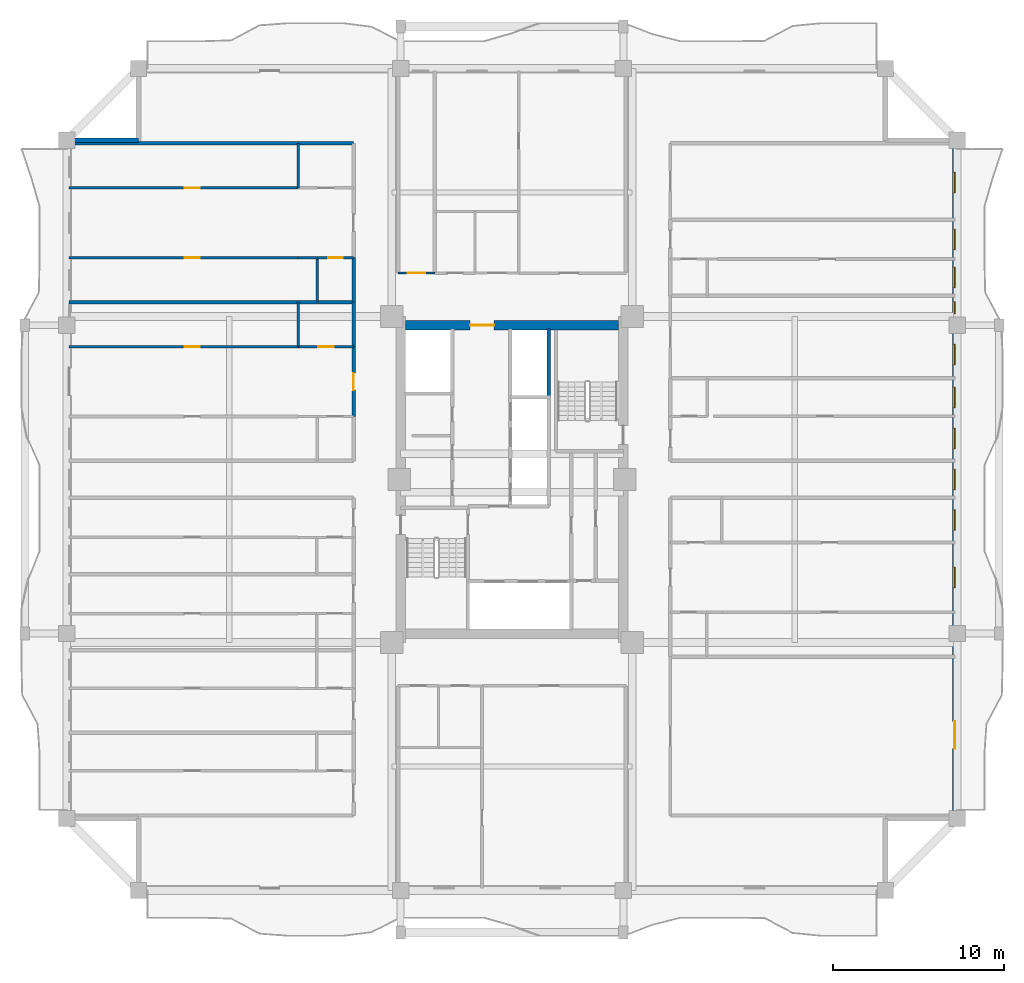
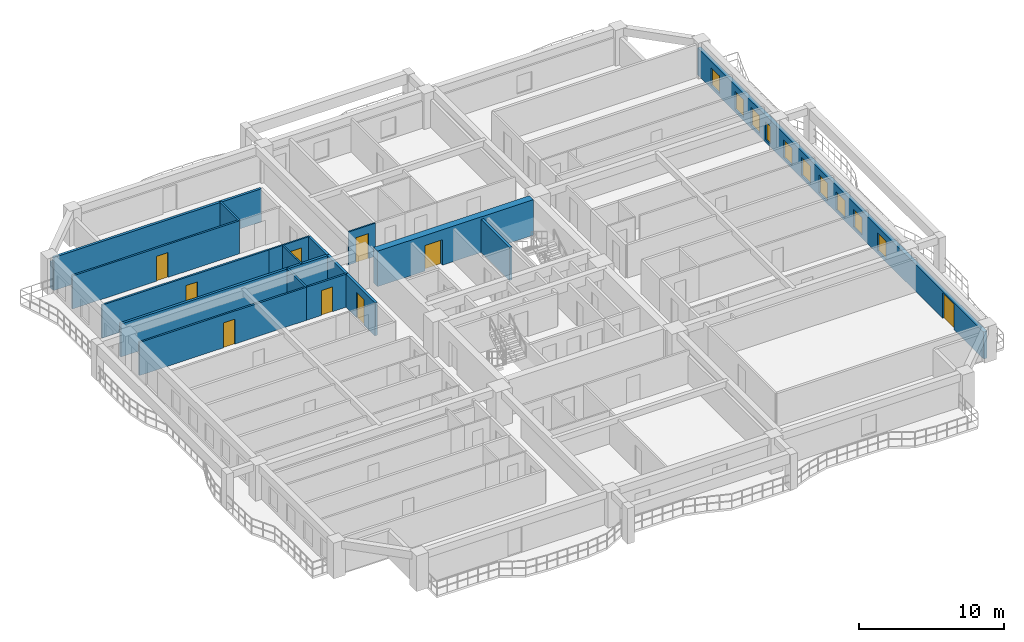
# One storey, part 6 of 13: 19 walls, 10 windows, 9 doors, 19 openings.
"""IFC4 building model written with IfcOpenShell, lengths in metres."""

from ifc_helpers import new_model, si_unit, direction, frame, frame_2d, origin, place, context, subcontext, project, spatial, rectangle, extrude, source, transform, mapped, material, layer, layer_set, type_object, element, fill, save


model = new_model("IFC4")

# Units and contexts
model_context = context("Model", 3, precision=1e-05, world=origin(), true_north=direction((0.0, 1.0)))
body_context = subcontext(model_context, "Body", "Model", "MODEL_VIEW")
ifc_project = project(units=[si_unit("LENGTHUNIT", "METRE"), si_unit("AREAUNIT", "SQUARE_METRE"), si_unit("VOLUMEUNIT", "CUBIC_METRE"), si_unit("PLANEANGLEUNIT", "RADIAN"), si_unit("MASSUNIT", "GRAM", prefix="KILO")], contexts=[model_context])

# Site, building, storey
site_placement = place(None, origin())
site = spatial("IfcSite", under=ifc_project, at=site_placement, CompositionType="ELEMENT")
building_placement = place(site_placement, origin())
building = spatial("IfcBuilding", under=site, at=building_placement, Name="Saelheon Loggia Tower", CompositionType="ELEMENT")
storey_placement = place(building_placement, frame((0.0, 0.0, 129.75)))
storey = spatial("IfcBuildingStorey", under=building, at=storey_placement, Name="L41", CompositionType="ELEMENT", Elevation=129.75)

# Wall, opening, door
ifc_material_1 = material(Name="Concrete C50/60", Category="concrete")
ifc_layer_1 = layer(ifc_material_1, 0.550048828125)
ifc_layer_set_1 = layer_set([ifc_layer_1], Name="Concrete C50/60")
wall_type_1 = type_object("IfcWallType", Name="Wall_CoreShear_550", PredefinedType="SHEAR", material=ifc_layer_set_1)
wall_1_placement = place(storey_placement, frame((31.77490234375, 36.0, 0.0), z_axis=(0.0, 0.0, 1.0), x_axis=(1.0, 0.0, 0.0)))
wall_1 = element("IfcWall", 1, at=wall_1_placement, inside=storey, type_object=wall_type_1, Name="L41 Core Shear Wall North", PredefinedType="SHEAR", context=body_context, shape_type="SweptSolid", body=[
    extrude(rectangle(XDim=12.4501953125, YDim=0.550048828125, at=frame_2d((6.22509765625, 0.0))), origin(), (0.0, 0.0, 1.0), 3.0),
])
opening_1_placement = place(wall_1_placement, frame((5.1748046875, 0.0, 0.0), z_axis=(0.0, 0.0, 1.0), x_axis=(-1.0, 0.0, 0.0)))
opening_1 = element("IfcOpeningElement", 2, at=opening_1_placement, cuts=wall_1, Name="Opening D-FD2L", PredefinedType="OPENING", context=body_context, shape_type="SweptSolid", body=[
    extrude(rectangle(XDim=1.39990234375, YDim=2.14990234375, at=frame_2d((0.699951171875, 1.074951171875))), frame((0.0, 0.287109375, 0.0), z_axis=(0.0, -1.0, 0.0), x_axis=(1.0, 0.0, 0.0)), (0.0, 0.0, 1.0), 0.573974609375),
])
ifc_material_2 = material(Name="Galvanised Steel Glazed Lobby Fire Door", Category="steel")
door_type_1 = type_object("IfcDoorType", Name="Door_Fire_FD60_1400", OperationType="NOTDEFINED", PredefinedType="DOOR", material=ifc_material_2)
shared_shape_1 = source(origin(), body_context, "Body", "SweptSolid", [
    extrude(rectangle(XDim=1.39990234375, YDim=2.14990234375, at=frame_2d((0.699951171875, 1.074951171875))), frame((0.0, 0.02490234375, 0.0), z_axis=(0.0, -1.0, 0.0), x_axis=(1.0, 0.0, 0.0)), (0.0, 0.0, 1.0), 0.050048828125),
])
door_1_placement = place(opening_1_placement, origin())
door_1 = element("IfcDoor", 3, at=door_1_placement, inside=storey, type_object=door_type_1, Name="L41 Passenger Lift Lobby Main Door", OperationType="SINGLE_SWING_RIGHT", OverallHeight=2.14990234375, OverallWidth=1.39990234375, PredefinedType="DOOR", context=body_context, shape_type="MappedRepresentation", body=[
    mapped(shared_shape_1, transform((0.0, 0.0, 0.0), scale=1.0)),
])
fill(opening_1, door_1)

# Wall, openings, windows, door
ifc_material_3 = material(Name="Architectural Precast Concrete C40/50", Category="concrete")
ifc_layer_2 = layer(ifc_material_3, 0.280029296875)
ifc_layer_set_2 = layer_set([ifc_layer_2], Name="Architectural Precast Concrete C40/50")
wall_type_2 = type_object("IfcWallType", Name="Wall_Ext_Loggia_280", PredefinedType="SOLIDWALL", material=ifc_layer_set_2)
wall_2_placement = place(storey_placement, frame((63.860107421875, 7.199951171875, 0.0), z_axis=(0.0, 0.0, 1.0), x_axis=(0.0, 1.0, 0.0)))
wall_2 = element("IfcWall", 4, at=wall_2_placement, inside=storey, type_object=wall_type_2, Name="L41 East Loggia Inner Wall", PredefinedType="SOLIDWALL", context=body_context, shape_type="SweptSolid", body=[
    extrude(rectangle(XDim=39.60009765625, YDim=0.280029296875, at=frame_2d((19.800048828125, 0.0))), origin(), (0.0, 0.0, 1.0), 2.280029296875),
])
opening_2_placement = place(wall_2_placement, frame((5.6826171875, 0.0, 0.0), z_axis=(0.0, 0.0, 1.0), x_axis=(-1.0, 0.0, 0.0)))
opening_2 = element("IfcOpeningElement", 5, at=opening_2_placement, cuts=wall_2, Name="Opening DLG-1", PredefinedType="OPENING", context=body_context, shape_type="SweptSolid", body=[
    extrude(rectangle(XDim=1.60009765625, YDim=2.14990234375, at=frame_2d((0.800048828125, 1.074951171875))), frame((0.0, 0.152099609375, 0.0), z_axis=(0.0, -1.0, 0.0), x_axis=(1.0, 0.0, 0.0)), (0.0, 0.0, 1.0), 0.303955078125),
])
opening_3_placement = place(wall_2_placement, frame((13.48291015625, 0.0, 0.25)))
opening_3 = element("IfcOpeningElement", 6, at=opening_3_placement, cuts=wall_2, Name="Opening WN-03", PredefinedType="OPENING", context=body_context, shape_type="SweptSolid", body=[
    extrude(rectangle(XDim=1.199951171875, YDim=1.5, at=frame_2d((0.60009765625, 0.75))), frame((0.0, 0.152099609375, 0.0), z_axis=(0.0, -1.0, 0.0), x_axis=(1.0, 0.0, 0.0)), (0.0, 0.0, 1.0), 0.303955078125),
])
opening_4_placement = place(wall_2_placement, frame((16.820068359375, 0.0, 0.25)))
opening_4 = element("IfcOpeningElement", 7, at=opening_4_placement, cuts=wall_2, Name="Opening WN-03", PredefinedType="OPENING", context=body_context, shape_type="SweptSolid", body=[
    extrude(rectangle(XDim=1.199951171875, YDim=1.5, at=frame_2d((0.60009765625, 0.75))), frame((0.0, 0.152099609375, 0.0), z_axis=(0.0, -1.0, 0.0), x_axis=(1.0, 0.0, 0.0)), (0.0, 0.0, 1.0), 0.303955078125),
])
opening_5_placement = place(wall_2_placement, frame((19.199951171875, 0.0, 0.25)))
opening_5 = element("IfcOpeningElement", 8, at=opening_5_placement, cuts=wall_2, Name="Opening WN-03", PredefinedType="OPENING", context=body_context, shape_type="SweptSolid", body=[
    extrude(rectangle(XDim=1.199951171875, YDim=1.5, at=frame_2d((0.60009765625, 0.75))), frame((0.0, 0.152099609375, 0.0), z_axis=(0.0, -1.0, 0.0), x_axis=(1.0, 0.0, 0.0)), (0.0, 0.0, 1.0), 0.303955078125),
])
opening_6_placement = place(wall_2_placement, frame((21.58154296875, 0.0, 0.25)))
opening_6 = element("IfcOpeningElement", 9, at=opening_6_placement, cuts=wall_2, Name="Opening WN-03", PredefinedType="OPENING", context=body_context, shape_type="SweptSolid", body=[
    extrude(rectangle(XDim=1.199951171875, YDim=1.5, at=frame_2d((0.60009765625, 0.75))), frame((0.0, 0.152099609375, 0.0), z_axis=(0.0, -1.0, 0.0), x_axis=(1.0, 0.0, 0.0)), (0.0, 0.0, 1.0), 0.303955078125),
])
opening_7_placement = place(wall_2_placement, frame((23.99169921875, 0.0, 0.25)))
opening_7 = element("IfcOpeningElement", 10, at=opening_7_placement, cuts=wall_2, Name="Opening WN-03", PredefinedType="OPENING", context=body_context, shape_type="SweptSolid", body=[
    extrude(rectangle(XDim=1.199951171875, YDim=1.5, at=frame_2d((0.60009765625, 0.75))), frame((0.0, 0.152099609375, 0.0), z_axis=(0.0, -1.0, 0.0), x_axis=(1.0, 0.0, 0.0)), (0.0, 0.0, 1.0), 0.303955078125),
])
opening_8_placement = place(wall_2_placement, frame((26.49267578125, 0.0, 0.25)))
opening_8 = element("IfcOpeningElement", 11, at=opening_8_placement, cuts=wall_2, Name="Opening WN-03", PredefinedType="OPENING", context=body_context, shape_type="SweptSolid", body=[
    extrude(rectangle(XDim=1.199951171875, YDim=1.5, at=frame_2d((0.60009765625, 0.75))), frame((0.0, 0.152099609375, 0.0), z_axis=(0.0, -1.0, 0.0), x_axis=(1.0, 0.0, 0.0)), (0.0, 0.0, 1.0), 0.303955078125),
])
opening_9_placement = place(wall_2_placement, frame((29.468017578125, 0.0, 0.25)))
opening_9 = element("IfcOpeningElement", 12, at=opening_9_placement, cuts=wall_2, Name="Opening WN-06", PredefinedType="OPENING", context=body_context, shape_type="SweptSolid", body=[
    extrude(rectangle(XDim=0.699951171875, YDim=1.5, at=frame_2d((0.35009765625, 0.75))), frame((0.0, 0.152099609375, 0.0), z_axis=(0.0, -1.0, 0.0), x_axis=(1.0, 0.0, 0.0)), (0.0, 0.0, 1.0), 0.303955078125),
])
opening_10_placement = place(wall_2_placement, frame((30.995849609375, 0.0, 0.25)))
opening_10 = element("IfcOpeningElement", 13, at=opening_10_placement, cuts=wall_2, Name="Opening WN-03", PredefinedType="OPENING", context=body_context, shape_type="SweptSolid", body=[
    extrude(rectangle(XDim=1.199951171875, YDim=1.5, at=frame_2d((0.60009765625, 0.75))), frame((0.0, 0.152099609375, 0.0), z_axis=(0.0, -1.0, 0.0), x_axis=(1.0, 0.0, 0.0)), (0.0, 0.0, 1.0), 0.303955078125),
])
opening_11_placement = place(wall_2_placement, frame((33.220703125, 0.0, 0.25)))
opening_11 = element("IfcOpeningElement", 14, at=opening_11_placement, cuts=wall_2, Name="Opening WN-03", PredefinedType="OPENING", context=body_context, shape_type="SweptSolid", body=[
    extrude(rectangle(XDim=1.199951171875, YDim=1.5, at=frame_2d((0.60009765625, 0.75))), frame((0.0, 0.152099609375, 0.0), z_axis=(0.0, -1.0, 0.0), x_axis=(1.0, 0.0, 0.0)), (0.0, 0.0, 1.0), 0.303955078125),
])
opening_12_placement = place(wall_2_placement, frame((36.527587890625, 0.0, 0.25)))
opening_12 = element("IfcOpeningElement", 15, at=opening_12_placement, cuts=wall_2, Name="Opening WN-03", PredefinedType="OPENING", context=body_context, shape_type="SweptSolid", body=[
    extrude(rectangle(XDim=1.199951171875, YDim=1.5, at=frame_2d((0.60009765625, 0.75))), frame((0.0, 0.152099609375, 0.0), z_axis=(0.0, -1.0, 0.0), x_axis=(1.0, 0.0, 0.0)), (0.0, 0.0, 1.0), 0.303955078125),
])
ifc_material_4 = material(Name="Thermal-Break Aluminium and Triple Low-E Glass", Category="aluminium")
window_type_1 = type_object("IfcWindowType", Name="Win_Slot_700x1500", PartitioningType="SINGLE_PANEL", PredefinedType="WINDOW", material=ifc_material_4)
shared_shape_2 = source(origin(), body_context, "Body", "SweptSolid", [
    extrude(rectangle(XDim=0.699951171875, YDim=1.5, at=frame_2d((0.35009765625, 0.75))), frame((0.0, 0.030029296875, 0.0), z_axis=(0.0, -1.0, 0.0), x_axis=(1.0, 0.0, 0.0)), (0.0, 0.0, 1.0), 0.06005859375),
])
window_1_placement = place(opening_9_placement, origin())
window_1 = element("IfcWindow", 16, at=window_1_placement, inside=storey, type_object=window_type_1, Name="L41 E Dwelling Window 8", OverallHeight=1.5, OverallWidth=0.699951171875, PartitioningType="SINGLE_PANEL", PredefinedType="WINDOW", context=body_context, shape_type="MappedRepresentation", body=[
    mapped(shared_shape_2, transform((0.0, 0.0, 0.0), scale=1.0)),
])
fill(opening_9, window_1)
window_type_2 = type_object("IfcWindowType", Name="Win_Bedroom_1200x1500", PartitioningType="SINGLE_PANEL", PredefinedType="WINDOW", material=ifc_material_4)
shared_shape_3 = source(origin(), body_context, "Body", "SweptSolid", [
    extrude(rectangle(XDim=1.199951171875, YDim=1.5, at=frame_2d((0.60009765625, 0.75))), frame((0.0, 0.030029296875, 0.0), z_axis=(0.0, -1.0, 0.0), x_axis=(1.0, 0.0, 0.0)), (0.0, 0.0, 1.0), 0.06005859375),
])
window_2_placement = place(opening_3_placement, origin())
window_2 = element("IfcWindow", 17, at=window_2_placement, inside=storey, type_object=window_type_2, Name="L41 E Dwelling Window 2", OverallHeight=1.5, OverallWidth=1.199951171875, PartitioningType="SINGLE_PANEL", PredefinedType="WINDOW", context=body_context, shape_type="MappedRepresentation", body=[
    mapped(shared_shape_3, transform((0.0, 0.0, 0.0), scale=1.0)),
])
fill(opening_3, window_2)
window_3_placement = place(opening_4_placement, origin())
window_3 = element("IfcWindow", 18, at=window_3_placement, inside=storey, type_object=window_type_2, Name="L41 E Dwelling Window 3", OverallHeight=1.5, OverallWidth=1.199951171875, PartitioningType="SINGLE_PANEL", PredefinedType="WINDOW", context=body_context, shape_type="MappedRepresentation", body=[
    mapped(shared_shape_3, transform((0.0, 0.0, 0.0), scale=1.0)),
])
fill(opening_4, window_3)
window_4_placement = place(opening_5_placement, origin())
window_4 = element("IfcWindow", 19, at=window_4_placement, inside=storey, type_object=window_type_2, Name="L41 E Dwelling Window 4", OverallHeight=1.5, OverallWidth=1.199951171875, PartitioningType="SINGLE_PANEL", PredefinedType="WINDOW", context=body_context, shape_type="MappedRepresentation", body=[
    mapped(shared_shape_3, transform((0.0, 0.0, 0.0), scale=1.0)),
])
fill(opening_5, window_4)
window_5_placement = place(opening_6_placement, origin())
window_5 = element("IfcWindow", 20, at=window_5_placement, inside=storey, type_object=window_type_2, Name="L41 E Dwelling Window 5", OverallHeight=1.5, OverallWidth=1.199951171875, PartitioningType="SINGLE_PANEL", PredefinedType="WINDOW", context=body_context, shape_type="MappedRepresentation", body=[
    mapped(shared_shape_3, transform((0.0, 0.0, 0.0), scale=1.0)),
])
fill(opening_6, window_5)
window_6_placement = place(opening_7_placement, origin())
window_6 = element("IfcWindow", 21, at=window_6_placement, inside=storey, type_object=window_type_2, Name="L41 E Dwelling Window 6", OverallHeight=1.5, OverallWidth=1.199951171875, PartitioningType="SINGLE_PANEL", PredefinedType="WINDOW", context=body_context, shape_type="MappedRepresentation", body=[
    mapped(shared_shape_3, transform((0.0, 0.0, 0.0), scale=1.0)),
])
fill(opening_7, window_6)
window_7_placement = place(opening_8_placement, origin())
window_7 = element("IfcWindow", 22, at=window_7_placement, inside=storey, type_object=window_type_2, Name="L41 E Dwelling Window 7", OverallHeight=1.5, OverallWidth=1.199951171875, PartitioningType="SINGLE_PANEL", PredefinedType="WINDOW", context=body_context, shape_type="MappedRepresentation", body=[
    mapped(shared_shape_3, transform((0.0, 0.0, 0.0), scale=1.0)),
])
fill(opening_8, window_7)
window_8_placement = place(opening_10_placement, origin())
window_8 = element("IfcWindow", 23, at=window_8_placement, inside=storey, type_object=window_type_2, Name="L41 E Dwelling Window 9", OverallHeight=1.5, OverallWidth=1.199951171875, PartitioningType="SINGLE_PANEL", PredefinedType="WINDOW", context=body_context, shape_type="MappedRepresentation", body=[
    mapped(shared_shape_3, transform((0.0, 0.0, 0.0), scale=1.0)),
])
fill(opening_10, window_8)
window_9_placement = place(opening_11_placement, origin())
window_9 = element("IfcWindow", 24, at=window_9_placement, inside=storey, type_object=window_type_2, Name="L41 E Dwelling Window 10", OverallHeight=1.5, OverallWidth=1.199951171875, PartitioningType="SINGLE_PANEL", PredefinedType="WINDOW", context=body_context, shape_type="MappedRepresentation", body=[
    mapped(shared_shape_3, transform((0.0, 0.0, 0.0), scale=1.0)),
])
fill(opening_11, window_9)
window_10_placement = place(opening_12_placement, origin())
window_10 = element("IfcWindow", 25, at=window_10_placement, inside=storey, type_object=window_type_2, Name="L41 E Dwelling Window 11", OverallHeight=1.5, OverallWidth=1.199951171875, PartitioningType="SINGLE_PANEL", PredefinedType="WINDOW", context=body_context, shape_type="MappedRepresentation", body=[
    mapped(shared_shape_3, transform((0.0, 0.0, 0.0), scale=1.0)),
])
fill(opening_12, window_10)
ifc_material_5 = material(Name="Thermal-Break Aluminium Sliding Glazed Door", Category="aluminium")
door_type_2 = type_object("IfcDoorType", Name="Door_LoggiaSlide_1600", OperationType="SLIDING_TO_LEFT", PredefinedType="DOOR", material=ifc_material_5)
shared_shape_4 = source(origin(), body_context, "Body", "SweptSolid", [
    extrude(rectangle(XDim=1.60009765625, YDim=2.14990234375, at=frame_2d((0.800048828125, 1.074951171875))), frame((0.0, 0.02490234375, 0.0), z_axis=(0.0, -1.0, 0.0), x_axis=(1.0, 0.0, 0.0)), (0.0, 0.0, 1.0), 0.050048828125),
])
door_2_placement = place(opening_2_placement, origin())
door_2 = element("IfcDoor", 26, at=door_2_placement, inside=storey, type_object=door_type_2, Name="L41 E Loggia Access Door", OperationType="SLIDING_TO_LEFT", OverallHeight=2.14990234375, OverallWidth=1.60009765625, PredefinedType="DOOR", context=body_context, shape_type="MappedRepresentation", body=[
    mapped(shared_shape_4, transform((0.0, 0.0, 0.0), scale=1.0)),
])
fill(opening_2, door_2)

# Walls
wall_3_placement = place(storey_placement, frame((12.080078125, 46.800048828125, 0.0), z_axis=(0.0, 0.0, 1.0), x_axis=(1.0, 0.0, 0.0)))
element("IfcWall", 27, at=wall_3_placement, inside=storey, type_object=wall_type_2, Name="L41 Corner Notch Precast Wall NW2", PredefinedType="SOLIDWALL", context=body_context, shape_type="SweptSolid", body=[
    extrude(rectangle(XDim=4.119873046875, YDim=0.280029296875, at=frame_2d((2.06005859375, 0.0))), origin(), (0.0, 0.0, 1.0), 2.280029296875),
])
ifc_material_6 = material(Name="Lightweight Autoclaved Aerated Concrete Block and Acoustic Gypsum", Category="concrete")
ifc_layer_3 = layer(ifc_material_6, 0.14990234375)
ifc_layer_set_3 = layer_set([ifc_layer_3], Name="Lightweight Autoclaved Aerated Concrete Block and Acoustic Gypsum")
wall_type_3 = type_object("IfcWallType", Name="Wall_Part_150", PredefinedType="PARTITIONING", material=ifc_layer_set_3)
wall_4_placement = place(storey_placement, frame((25.510009765625, 34.75, 0.0), z_axis=(0.0, 0.0, 1.0), x_axis=(0.0, 1.0, 0.0)))
element("IfcWall", 28, at=wall_4_placement, inside=storey, type_object=wall_type_3, Name="L41 WN Partition V07", PredefinedType="PARTITIONING", context=body_context, shape_type="SweptSolid", body=[
    extrude(rectangle(XDim=2.60009765625, YDim=0.14990234375, at=frame_2d((1.300048828125, 0.0))), origin(), (0.0, 0.0, 1.0), 2.7900390625),
])

# Wall, opening, door
wall_5_placement = place(storey_placement, frame((28.75, 34.75, 0.0), z_axis=(0.0, 0.0, 1.0), x_axis=(-1.0, 0.0, 0.0)))
wall_5 = element("IfcWall", 29, at=wall_5_placement, inside=storey, type_object=wall_type_3, Name="L41 WN Partition U11", PredefinedType="PARTITIONING", context=body_context, shape_type="SweptSolid", body=[
    extrude(rectangle(XDim=3.239990234375, YDim=0.14990234375, at=frame_2d((1.6201171875, 0.0))), origin(), (0.0, 0.0, 1.0), 2.7900390625),
])
opening_13_placement = place(wall_5_placement, frame((1.169921875, 0.0, 0.0)))
opening_13 = element("IfcOpeningElement", 30, at=opening_13_placement, cuts=wall_5, Name="Opening D-IN2", PredefinedType="OPENING", context=body_context, shape_type="SweptSolid", body=[
    extrude(rectangle(XDim=0.89990234375, YDim=2.10009765625, at=frame_2d((0.449951171875, 1.050048828125))), frame((0.0, 0.0869140625, 0.0), z_axis=(0.0, -1.0, 0.0), x_axis=(1.0, 0.0, 0.0)), (0.0, 0.0, 1.0), 0.173828125),
])
ifc_material_7 = material(Name="Engineered Oak Flush Door", Category="timber")
door_type_3 = type_object("IfcDoorType", Name="Door_Int_900", OperationType="NOTDEFINED", PredefinedType="DOOR", material=ifc_material_7)
shared_shape_5 = source(origin(), body_context, "Body", "SweptSolid", [
    extrude(rectangle(XDim=0.89990234375, YDim=2.10009765625, at=frame_2d((0.449951171875, 1.050048828125))), frame((0.0, 0.02490234375, 0.0), z_axis=(0.0, -1.0, 0.0), x_axis=(1.0, 0.0, 0.0)), (0.0, 0.0, 1.0), 0.050048828125),
])
door_3_placement = place(opening_13_placement, origin())
door_3 = element("IfcDoor", 31, at=door_3_placement, inside=storey, type_object=door_type_3, Name="Unit U05 Dressing Closet Door", OperationType="SINGLE_SWING_LEFT", OverallHeight=2.10009765625, OverallWidth=0.89990234375, PredefinedType="DOOR", context=body_context, shape_type="MappedRepresentation", body=[
    mapped(shared_shape_5, transform((0.0, 0.0, 0.0), scale=1.0)),
])
fill(opening_13, door_3)

wall_6_placement = place(storey_placement, frame((25.510009765625, 34.75, 0.0), z_axis=(0.0, 0.0, 1.0), x_axis=(-1.0, 0.0, 0.0)))
wall_6 = element("IfcWall", 32, at=wall_6_placement, inside=storey, type_object=wall_type_3, Name="L41 WN Partition U12", PredefinedType="PARTITIONING", context=body_context, shape_type="SweptSolid", body=[
    extrude(rectangle(XDim=13.360107421875, YDim=0.14990234375, at=frame_2d((6.68017578125, 0.0))), origin(), (0.0, 0.0, 1.0), 2.7900390625),
])
opening_14_placement = place(wall_6_placement, frame((5.730712890625, 0.0, 0.0)))
opening_14 = element("IfcOpeningElement", 33, at=opening_14_placement, cuts=wall_6, Name="Opening D-IN2", PredefinedType="OPENING", context=body_context, shape_type="SweptSolid", body=[
    extrude(rectangle(XDim=0.89990234375, YDim=2.10009765625, at=frame_2d((0.449951171875, 1.050048828125))), frame((0.0, 0.0869140625, 0.0), z_axis=(0.0, -1.0, 0.0), x_axis=(1.0, 0.0, 0.0)), (0.0, 0.0, 1.0), 0.173828125),
])
door_4_placement = place(opening_14_placement, origin())
door_4 = element("IfcDoor", 34, at=door_4_placement, inside=storey, type_object=door_type_3, Name="Unit U05 Bedroom 1 Door", OperationType="SINGLE_SWING_RIGHT", OverallHeight=2.10009765625, OverallWidth=0.89990234375, PredefinedType="DOOR", context=body_context, shape_type="MappedRepresentation", body=[
    mapped(shared_shape_5, transform((0.0, 0.0, 0.0), scale=1.0)),
])
fill(opening_14, door_4)

# Wall
wall_7_placement = place(storey_placement, frame((25.510009765625, 44.02001953125, 0.0), z_axis=(0.0, 0.0, 1.0), x_axis=(0.0, 1.0, 0.0)))
element("IfcWall", 35, at=wall_7_placement, inside=storey, type_object=wall_type_3, Name="L41 WN Partition V18", PredefinedType="PARTITIONING", context=body_context, shape_type="SweptSolid", body=[
    extrude(rectangle(XDim=2.60009765625, YDim=0.14990234375, at=frame_2d((1.300048828125, 0.0))), origin(), (0.0, 0.0, 1.0), 2.7900390625),
])

# Wall, opening, door
wall_8_placement = place(storey_placement, frame((25.510009765625, 39.945556640625, 0.0), z_axis=(0.0, 0.0, 1.0), x_axis=(-1.0, 0.0, 0.0)))
wall_8 = element("IfcWall", 36, at=wall_8_placement, inside=storey, type_object=wall_type_3, Name="L41 WN Partition U21", PredefinedType="PARTITIONING", context=body_context, shape_type="SweptSolid", body=[
    extrude(rectangle(XDim=13.360107421875, YDim=0.14990234375, at=frame_2d((6.68017578125, 0.0))), origin(), (0.0, 0.0, 1.0), 2.7900390625),
])
opening_15_placement = place(wall_8_placement, frame((5.730712890625, 0.0, 0.0)))
opening_15 = element("IfcOpeningElement", 37, at=opening_15_placement, cuts=wall_8, Name="Opening D-IN2", PredefinedType="OPENING", context=body_context, shape_type="SweptSolid", body=[
    extrude(rectangle(XDim=0.89990234375, YDim=2.10009765625, at=frame_2d((0.449951171875, 1.050048828125))), frame((0.0, 0.0869140625, 0.0), z_axis=(0.0, -1.0, 0.0), x_axis=(1.0, 0.0, 0.0)), (0.0, 0.0, 1.0), 0.173828125),
])
door_5_placement = place(opening_15_placement, origin())
door_5 = element("IfcDoor", 38, at=door_5_placement, inside=storey, type_object=door_type_3, Name="Unit U06 Kitchen Door", OperationType="SINGLE_SWING_LEFT", OverallHeight=2.10009765625, OverallWidth=0.89990234375, PredefinedType="DOOR", context=body_context, shape_type="MappedRepresentation", body=[
    mapped(shared_shape_5, transform((0.0, 0.0, 0.0), scale=1.0)),
])
fill(opening_15, door_5)

wall_9_placement = place(storey_placement, frame((25.510009765625, 44.02001953125, 0.0), z_axis=(0.0, 0.0, 1.0), x_axis=(-1.0, 0.0, 0.0)))
wall_9 = element("IfcWall", 39, at=wall_9_placement, inside=storey, type_object=wall_type_3, Name="L41 WN Partition U23", PredefinedType="PARTITIONING", context=body_context, shape_type="SweptSolid", body=[
    extrude(rectangle(XDim=13.360107421875, YDim=0.14990234375, at=frame_2d((6.68017578125, 0.0))), origin(), (0.0, 0.0, 1.0), 2.7900390625),
])
opening_16_placement = place(wall_9_placement, frame((5.730712890625, 0.0, 0.0)))
opening_16 = element("IfcOpeningElement", 40, at=opening_16_placement, cuts=wall_9, Name="Opening D-IN2", PredefinedType="OPENING", context=body_context, shape_type="SweptSolid", body=[
    extrude(rectangle(XDim=0.89990234375, YDim=2.10009765625, at=frame_2d((0.449951171875, 1.050048828125))), frame((0.0, 0.0869140625, 0.0), z_axis=(0.0, -1.0, 0.0), x_axis=(1.0, 0.0, 0.0)), (0.0, 0.0, 1.0), 0.173828125),
])
door_6_placement = place(opening_16_placement, origin())
door_6 = element("IfcDoor", 41, at=door_6_placement, inside=storey, type_object=door_type_3, Name="Unit U06 Bedroom 1 Door", OperationType="SINGLE_SWING_LEFT", OverallHeight=2.10009765625, OverallWidth=0.89990234375, PredefinedType="DOOR", context=body_context, shape_type="MappedRepresentation", body=[
    mapped(shared_shape_5, transform((0.0, 0.0, 0.0), scale=1.0)),
])
fill(opening_16, door_6)

# Wall
ifc_material_8 = material(Name="Double Acoustic Stud and Fireboard Partition", Category="gypsum")
ifc_layer_4 = layer(ifc_material_8, 0.199951171875)
ifc_layer_set_4 = layer_set([ifc_layer_4], Name="Double Acoustic Stud and Fireboard Partition")
wall_type_4 = type_object("IfcWallType", Name="Wall_Party_200", PredefinedType="PARTITIONING", material=ifc_layer_set_4)
wall_10_placement = place(storey_placement, frame((28.75, 46.6201171875, 0.0), z_axis=(0.0, 0.0, 1.0), x_axis=(-1.0, 0.0, 0.0)))
element("IfcWall", 42, at=wall_10_placement, inside=storey, type_object=wall_type_4, Name="L41 WN Partition U02", PredefinedType="PARTITIONING", context=body_context, shape_type="SweptSolid", body=[
    extrude(rectangle(XDim=16.60009765625, YDim=0.199951171875, at=frame_2d((8.300048828125, 0.0))), origin(), (0.0, 0.0, 1.0), 2.7900390625),
])

# Wall, opening, door
wall_11_placement = place(storey_placement, frame((28.75, 30.675537109375, 0.0), z_axis=(0.0, 0.0, 1.0), x_axis=(0.0, 1.0, 0.0)))
wall_11 = element("IfcWall", 43, at=wall_11_placement, inside=storey, type_object=wall_type_4, Name="L41 WN Partition V04", PredefinedType="PARTITIONING", context=body_context, shape_type="SweptSolid", body=[
    extrude(rectangle(XDim=4.074462890625, YDim=0.199951171875, at=frame_2d((2.037109375, 0.0))), origin(), (0.0, 0.0, 1.0), 2.7900390625),
])
opening_17_placement = place(wall_11_placement, frame((1.537109375, 0.0, 0.0)))
opening_17 = element("IfcOpeningElement", 44, at=opening_17_placement, cuts=wall_11, Name="Opening D-FD1", PredefinedType="OPENING", context=body_context, shape_type="SweptSolid", body=[
    extrude(rectangle(XDim=1.0, YDim=2.14990234375, at=frame_2d((0.5, 1.074951171875))), frame((0.0, 0.112060546875, 0.0), z_axis=(0.0, -1.0, 0.0), x_axis=(1.0, 0.0, 0.0)), (0.0, 0.0, 1.0), 0.223876953125),
])
ifc_material_9 = material(Name="Fire-Rated Engineered Timber Entrance Door", Category="wood")
door_type_4 = type_object("IfcDoorType", Name="Door_Flat_FD30S", OperationType="NOTDEFINED", PredefinedType="DOOR", material=ifc_material_9)
shared_shape_6 = source(origin(), body_context, "Body", "SweptSolid", [
    extrude(rectangle(XDim=1.0, YDim=2.14990234375, at=frame_2d((0.5, 1.074951171875))), frame((0.0, 0.02490234375, 0.0), z_axis=(0.0, -1.0, 0.0), x_axis=(1.0, 0.0, 0.0)), (0.0, 0.0, 1.0), 0.050048828125),
])
door_7_placement = place(opening_17_placement, origin())
door_7 = element("IfcDoor", 45, at=door_7_placement, inside=storey, type_object=door_type_4, Name="Unit U05 Entrance Door", OperationType="SINGLE_SWING_RIGHT", OverallHeight=2.14990234375, OverallWidth=1.0, PredefinedType="DOOR", context=body_context, shape_type="MappedRepresentation", body=[
    mapped(shared_shape_6, transform((0.0, 0.0, 0.0), scale=1.0)),
])
fill(opening_17, door_7)

# Walls
wall_12_placement = place(storey_placement, frame((28.75, 34.75, 0.0), z_axis=(0.0, 0.0, 1.0), x_axis=(0.0, 1.0, 0.0)))
element("IfcWall", 46, at=wall_12_placement, inside=storey, type_object=wall_type_4, Name="L41 WN Partition V05", PredefinedType="PARTITIONING", context=body_context, shape_type="SweptSolid", body=[
    extrude(rectangle(XDim=2.60009765625, YDim=0.199951171875, at=frame_2d((1.300048828125, 0.0))), origin(), (0.0, 0.0, 1.0), 2.7900390625),
])
wall_13_placement = place(storey_placement, frame((28.75, 37.35009765625, 0.0), z_axis=(0.0, 0.0, 1.0), x_axis=(-1.0, 0.0, 0.0)))
element("IfcWall", 47, at=wall_13_placement, inside=storey, type_object=wall_type_4, Name="L41 WN Partition U13", PredefinedType="PARTITIONING", context=body_context, shape_type="SweptSolid", body=[
    extrude(rectangle(XDim=16.60009765625, YDim=0.199951171875, at=frame_2d((8.300048828125, 0.0))), origin(), (0.0, 0.0, 1.0), 2.7900390625),
])
wall_14_placement = place(storey_placement, frame((28.75, 37.35009765625, 0.0), z_axis=(0.0, 0.0, 1.0), x_axis=(0.0, 1.0, 0.0)))
element("IfcWall", 48, at=wall_14_placement, inside=storey, type_object=wall_type_4, Name="L41 WN Partition V14", PredefinedType="PARTITIONING", context=body_context, shape_type="SweptSolid", body=[
    extrude(rectangle(XDim=2.595458984375, YDim=0.199951171875, at=frame_2d((1.2978515625, 0.0))), origin(), (0.0, 0.0, 1.0), 2.7900390625),
])
ifc_material_10 = material(Name="Concrete C40/50", Category="concrete")
ifc_layer_5 = layer(ifc_material_10, 0.199951171875)
ifc_layer_set_5 = layer_set([ifc_layer_5], Name="Concrete C40/50")
wall_type_5 = type_object("IfcWallType", Name="Wall_Shaft_200", PredefinedType="PARTITIONING", material=ifc_layer_set_5)
wall_15_placement = place(storey_placement, frame((40.14990234375, 31.800048828125, 0.0), z_axis=(0.0, 0.0, 1.0), x_axis=(0.0, 1.0, 0.0)))
element("IfcWall", 49, at=wall_15_placement, inside=storey, type_object=wall_type_5, Name="L41 East High-Rise Hoistway East Wall", PredefinedType="PARTITIONING", context=body_context, shape_type="SweptSolid", body=[
    extrude(rectangle(XDim=3.97998046875, YDim=0.199951171875, at=frame_2d((1.989990234375, 0.0))), origin(), (0.0, 0.0, 1.0), 2.7900390625),
])

# Wall, opening, door
ifc_material_11 = material(Name="Moisture-Resistant Cement Board Partition", Category="gypsum")
ifc_layer_6 = layer(ifc_material_11, 0.1201171875)
ifc_layer_set_6 = layer_set([ifc_layer_6], Name="Moisture-Resistant Cement Board Partition")
wall_type_6 = type_object("IfcWallType", Name="Wall_WetPart_120", PredefinedType="PARTITIONING", material=ifc_layer_set_6)
wall_16_placement = place(storey_placement, frame((31.35009765625, 39.050048828125, 0.0), z_axis=(0.0, 0.0, 1.0), x_axis=(1.0, 0.0, 0.0)))
wall_16 = element("IfcWall", 50, at=wall_16_placement, inside=storey, type_object=wall_type_6, Name="L41 N Partition V04", PredefinedType="PARTITIONING", context=body_context, shape_type="SweptSolid", body=[
    extrude(rectangle(XDim=2.14990234375, YDim=0.1201171875, at=frame_2d((1.074951171875, 0.0))), origin(), (0.0, 0.0, 1.0), 2.7900390625),
])
opening_18_placement = place(wall_16_placement, frame((0.574951171875, 0.0, 0.0)))
opening_18 = element("IfcOpeningElement", 51, at=opening_18_placement, cuts=wall_16, Name="Opening D-AC1", PredefinedType="OPENING", context=body_context, shape_type="SweptSolid", body=[
    extrude(rectangle(XDim=1.0, YDim=2.10009765625, at=frame_2d((0.5, 1.050048828125))), frame((0.0, 0.072021484375, 0.0), z_axis=(0.0, -1.0, 0.0), x_axis=(1.0, 0.0, 0.0)), (0.0, 0.0, 1.0), 0.14404296875),
])
ifc_material_12 = material(Name="Accessible Laminate Flush Door", Category="timber")
door_type_5 = type_object("IfcDoorType", Name="Door_Acc_1000", OperationType="NOTDEFINED", PredefinedType="DOOR", material=ifc_material_12)
shared_shape_7 = source(origin(), body_context, "Body", "SweptSolid", [
    extrude(rectangle(XDim=1.0, YDim=2.10009765625, at=frame_2d((0.5, 1.050048828125))), frame((0.0, 0.02490234375, 0.0), z_axis=(0.0, -1.0, 0.0), x_axis=(1.0, 0.0, 0.0)), (0.0, 0.0, 1.0), 0.050048828125),
])
door_8_placement = place(opening_18_placement, origin())
door_8 = element("IfcDoor", 52, at=door_8_placement, inside=storey, type_object=door_type_5, Name="L41 Floor Accessible WC Door", OperationType="SINGLE_SWING_LEFT", OverallHeight=2.10009765625, OverallWidth=1.0, PredefinedType="DOOR", context=body_context, shape_type="MappedRepresentation", body=[
    mapped(shared_shape_7, transform((0.0, 0.0, 0.0), scale=1.0)),
])
fill(opening_18, door_8)

# Wall
wall_17_placement = place(storey_placement, frame((26.6298828125, 37.35009765625, 0.0), z_axis=(0.0, 0.0, 1.0), x_axis=(0.0, 1.0, 0.0)))
element("IfcWall", 53, at=wall_17_placement, inside=storey, type_object=wall_type_6, Name="L41 WN Partition V17", PredefinedType="PARTITIONING", context=body_context, shape_type="SweptSolid", body=[
    extrude(rectangle(XDim=2.595458984375, YDim=0.1201171875, at=frame_2d((1.2978515625, 0.0))), origin(), (0.0, 0.0, 1.0), 2.7900390625),
])

# Wall, opening, door
wall_18_placement = place(storey_placement, frame((28.75, 39.945556640625, 0.0), z_axis=(0.0, 0.0, 1.0), x_axis=(-1.0, 0.0, 0.0)))
wall_18 = element("IfcWall", 54, at=wall_18_placement, inside=storey, type_object=wall_type_6, Name="L41 WN Partition U19", PredefinedType="PARTITIONING", context=body_context, shape_type="SweptSolid", body=[
    extrude(rectangle(XDim=2.1201171875, YDim=0.1201171875, at=frame_2d((1.06005859375, 0.0))), origin(), (0.0, 0.0, 1.0), 2.7900390625),
])
opening_19_placement = place(wall_18_placement, frame((0.635009765625, 0.0, 0.0)))
opening_19 = element("IfcOpeningElement", 55, at=opening_19_placement, cuts=wall_18, Name="Opening D-BT1", PredefinedType="OPENING", context=body_context, shape_type="SweptSolid", body=[
    extrude(rectangle(XDim=0.85009765625, YDim=2.050048828125, at=frame_2d((0.425048828125, 1.02490234375))), frame((0.0, 0.072021484375, 0.0), z_axis=(0.0, -1.0, 0.0), x_axis=(1.0, 0.0, 0.0)), (0.0, 0.0, 1.0), 0.14404296875),
])
ifc_material_13 = material(Name="Moisture-Resistant Laminate Timber Door", Category="wood")
door_type_6 = type_object("IfcDoorType", Name="Door_Bath_850", OperationType="NOTDEFINED", PredefinedType="DOOR", material=ifc_material_13)
shared_shape_8 = source(origin(), body_context, "Body", "SweptSolid", [
    extrude(rectangle(XDim=0.85009765625, YDim=2.050048828125, at=frame_2d((0.425048828125, 1.02490234375))), frame((0.0, 0.02490234375, 0.0), z_axis=(0.0, -1.0, 0.0), x_axis=(1.0, 0.0, 0.0)), (0.0, 0.0, 1.0), 0.050048828125),
])
door_9_placement = place(opening_19_placement, origin())
door_9 = element("IfcDoor", 56, at=door_9_placement, inside=storey, type_object=door_type_6, Name="Unit U06 Bathroom Door", OperationType="SINGLE_SWING_RIGHT", OverallHeight=2.050048828125, OverallWidth=0.85009765625, PredefinedType="DOOR", context=body_context, shape_type="MappedRepresentation", body=[
    mapped(shared_shape_8, transform((0.0, 0.0, 0.0), scale=1.0)),
])
fill(opening_19, door_9)

# Wall
wall_19_placement = place(storey_placement, frame((26.6298828125, 39.945556640625, 0.0), z_axis=(0.0, 0.0, 1.0), x_axis=(-1.0, 0.0, 0.0)))
element("IfcWall", 57, at=wall_19_placement, inside=storey, type_object=wall_type_6, Name="L41 WN Partition U20", PredefinedType="PARTITIONING", context=body_context, shape_type="SweptSolid", body=[
    extrude(rectangle(XDim=1.119873046875, YDim=0.1201171875, at=frame_2d((0.56005859375, 0.0))), origin(), (0.0, 0.0, 1.0), 2.7900390625),
])

save(model, "model.ifc")
